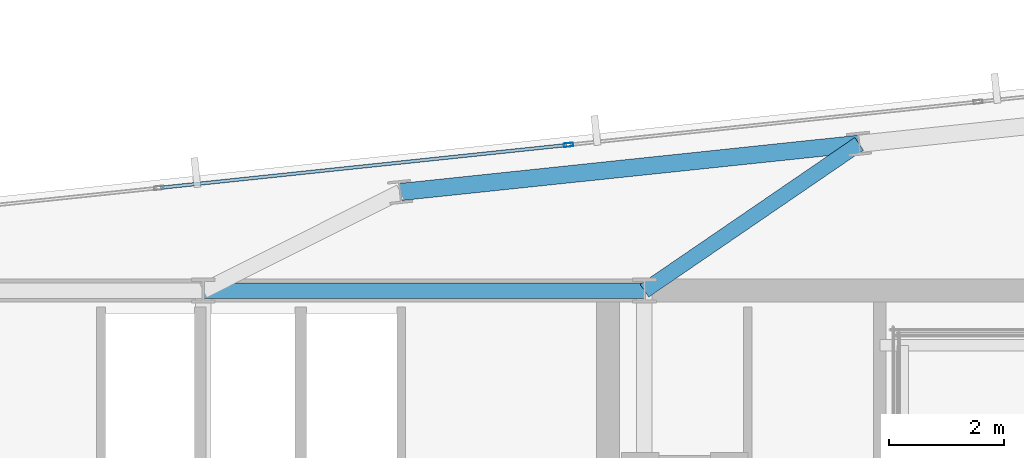
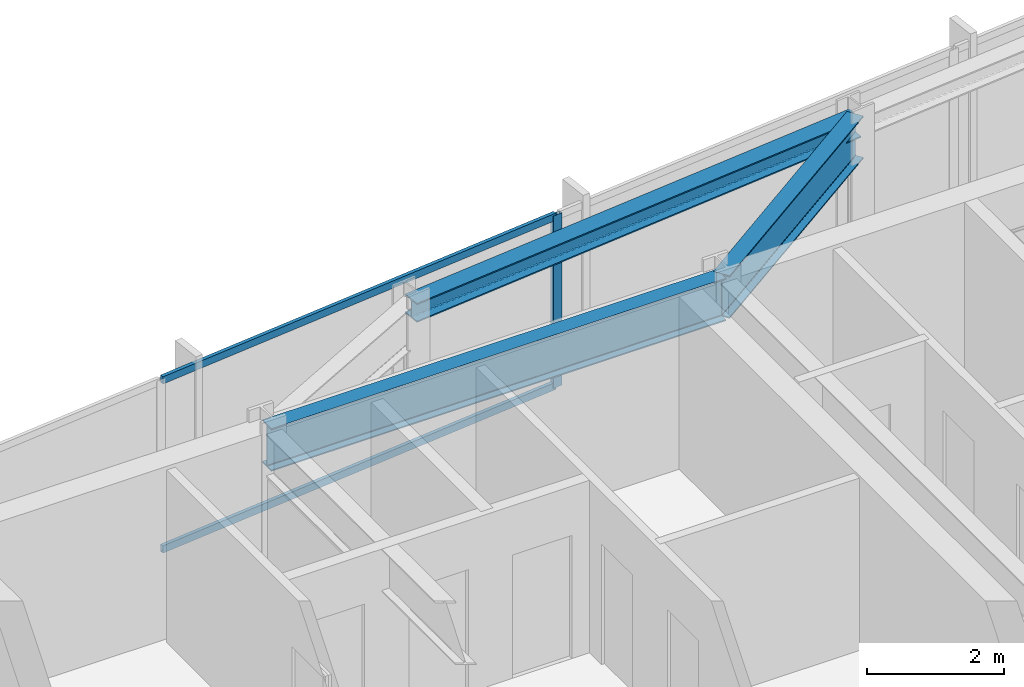
# One storey, part 22 of 33: 3 beams, 3 members, 1 element without a shape of its own.
"""IFC4 building model written with IfcOpenShell, lengths in metres."""

from ifc_helpers import new_model, si_unit, direction, frame, origin, origin_2d, place, context, subcontext, project, spatial, hollow_rectangle, i_section, extrude, material, material_profile, profile_set, type_object, element, aggregate, save


model = new_model("IFC4")

# Units and contexts
model_context = context("Model", 3, precision=1e-05, world=origin(), true_north=direction((0.0, 1.0)))
body_context = subcontext(model_context, "Body", "Model", "MODEL_VIEW")
ifc_project = project(units=[si_unit("LENGTHUNIT", "METRE"), si_unit("AREAUNIT", "SQUARE_METRE"), si_unit("VOLUMEUNIT", "CUBIC_METRE"), si_unit("PLANEANGLEUNIT", "RADIAN"), si_unit("MASSUNIT", "GRAM", prefix="KILO")], contexts=[model_context])

# Site, building, storey
site_placement = place(None, origin())
site = spatial("IfcSite", under=ifc_project, at=site_placement, CompositionType="ELEMENT")
building_placement = place(site_placement, origin())
building = spatial("IfcBuilding", under=site, at=building_placement, Name="Yelkora Congress Tower", CompositionType="ELEMENT")
storey_placement = place(building_placement, frame((0.0, 0.0, 221.0)))
storey = spatial("IfcBuildingStorey", under=building, at=storey_placement, Name="L61", CompositionType="ELEMENT", Elevation=221.0)

# Beams
ifc_material_1 = material(Name="Steel S355J2", Category="steel")
ifc_material_profile_1 = material_profile(ifc_material_1, i_section(OverallWidth=0.26708984375, OverallDepth=0.761962890625, WebThickness=0.014404296875, FlangeThickness=0.021484375, FilletRadius=0.01708984375, at=origin_2d()), Name="IPE 750x173")
ifc_profile_set_1 = profile_set([ifc_material_profile_1], Name="Steel S355J2")
beam_type_1 = type_object("IfcBeamType", Name="BM-GIRD-IPE750", PredefinedType="BEAM", material=ifc_profile_set_1)
beam_1_placement = place(storey_placement, frame((38.39990234375, 46.199951171875, 2.698974609375), z_axis=(1.0, 0.0, 0.0), x_axis=(0.0, 1.0, 0.0)))
element("IfcBeam", 1, at=beam_1_placement, inside=storey, type_object=beam_type_1, Name="L61 Core North Girder 4", PredefinedType="BEAM", context=body_context, shape_type="SweptSolid", body=[
    extrude(i_section(OverallWidth=0.26708984375, OverallDepth=0.761962890625, WebThickness=0.014404296875, FlangeThickness=0.021484375, FilletRadius=0.01708984375, at=origin_2d()), origin(), (0.0, 0.0, 1.0), 7.68017578125),
])
beam_2_placement = place(storey_placement, frame((49.8173828125, 48.757080078125, 2.698974609375), z_axis=(-0.825304616438, -0.564687781067, 0.0), x_axis=(0.564687781067, -0.825304616438, 0.0)))
element("IfcBeam", 2, at=beam_2_placement, inside=storey, type_object=beam_type_1, Name="L61 Primary Frame Girder N05", PredefinedType="BEAM", context=body_context, shape_type="SweptSolid", body=[
    extrude(i_section(OverallWidth=0.26708984375, OverallDepth=0.761962890625, WebThickness=0.014404296875, FlangeThickness=0.021484375, FilletRadius=0.01708984375, at=origin_2d()), origin(), (0.0, 0.0, 1.0), 4.5283203125),
])
ifc_material_profile_2 = material_profile(ifc_material_1, i_section(OverallWidth=0.300048828125, OverallDepth=0.340087890625, WebThickness=0.011962890625, FlangeThickness=0.021484375, FilletRadius=0.027099609375, at=origin_2d()), Name="HEB 340")
ifc_profile_set_2 = profile_set([ifc_material_profile_2], Name="Steel S355J2")
beam_type_2 = type_object("IfcBeamType", Name="BM-SPAN-HEB340", PredefinedType="SPANDREL", material=ifc_profile_set_2)
beam_3_placement = place(storey_placement, frame((49.8173828125, 48.757080078125, 2.909912109375), z_axis=(-0.994523256947, -0.104515507904, 0.0), x_axis=(0.104515507904, -0.994523256947, 0.0)))
element("IfcBeam", 3, at=beam_3_placement, inside=storey, type_object=beam_type_2, Name="L61 Perimeter Beam 15", PredefinedType="SPANDREL", context=body_context, shape_type="SweptSolid", body=[
    extrude(i_section(OverallWidth=0.300048828125, OverallDepth=0.340087890625, WebThickness=0.011962890625, FlangeThickness=0.021484375, FilletRadius=0.027099609375, at=origin_2d()), origin(), (0.0, 0.0, 1.0), 8.033203125),
])

# Curtain wall, members
ifc_material_2 = material(Name="Anodised aluminium and insulated glass", Category="aluminium")
curtain_wall_type = type_object("IfcCurtainWallType", Name="CW-SYS-B4", PredefinedType="NOTDEFINED", material=ifc_material_2)
curtain_wall_placement = place(storey_placement, origin())
curtain_wall = element("IfcCurtainWall", 4, at=curtain_wall_placement, inside=storey, type_object=curtain_wall_type, Name="L61 Unitised Curtain Wall 10 (3)", PredefinedType="NOTDEFINED")
ifc_material_3 = material(Name="Anodised aluminium 6063-T6", Category="aluminium")
ifc_material_profile_3 = material_profile(ifc_material_3, hollow_rectangle(XDim=0.06494140625, YDim=0.159912109375, WallThickness=0.00390625, at=origin_2d()), Name="ALU 65x160x4")
ifc_profile_set_3 = profile_set([ifc_material_profile_3], Name="Anodised aluminium 6063-T6")
member_type_1 = type_object("IfcMemberType", Name="MEM-ML-B4", PredefinedType="MULLION", material=ifc_profile_set_3)
member_1_placement = place(storey_placement, frame((44.75830078125, 48.73828125, 0.0), z_axis=(0.0, 0.0, 1.0), x_axis=(-0.104527724021, 0.994521973066, 0.0)))
member_1 = element("IfcMember", 5, at=member_1_placement, type_object=member_type_1, Name="CW-B4 mullion 4", PredefinedType="MULLION", context=body_context, shape_type="SweptSolid", body=[
    extrude(hollow_rectangle(XDim=0.06494140625, YDim=0.159912109375, WallThickness=0.00390625, at=origin_2d()), origin(), (0.0, 0.0, 1.0), 3.080078125),
])
ifc_material_profile_4 = material_profile(ifc_material_3, hollow_rectangle(XDim=0.06005859375, YDim=0.1298828125, WallThickness=0.00390625, at=origin_2d()), Name="ALU 60x130x4")
ifc_profile_set_4 = profile_set([ifc_material_profile_4], Name="Anodised aluminium 6063-T6")
member_type_2 = type_object("IfcMemberType", Name="MEM-TR-B4", PredefinedType="USERDEFINED", material=ifc_profile_set_4)
member_2_placement = place(storey_placement, frame((37.659912109375, 47.9921875, 0.030029296875), z_axis=(0.994521633799, 0.104530951904, 0.0), x_axis=(-0.104530951904, 0.994521633799, 0.0)))
member_2 = element("IfcMember", 6, at=member_2_placement, type_object=member_type_2, Name="CW-B4 transom 3.1", ObjectType="TRANSOM", PredefinedType="USERDEFINED", context=body_context, shape_type="SweptSolid", body=[
    extrude(hollow_rectangle(XDim=0.06005859375, YDim=0.1298828125, WallThickness=0.00390625, at=origin_2d()), origin(), (0.0, 0.0, 1.0), 7.104736328125),
])
member_3_placement = place(storey_placement, frame((37.659912109375, 47.9921875, 3.050048828125), z_axis=(0.994521633799, 0.104530951904, 0.0), x_axis=(-0.104530951904, 0.994521633799, 0.0)))
member_3 = element("IfcMember", 7, at=member_3_placement, type_object=member_type_2, Name="CW-B4 transom 3.2", ObjectType="TRANSOM", PredefinedType="USERDEFINED", context=body_context, shape_type="SweptSolid", body=[
    extrude(hollow_rectangle(XDim=0.06005859375, YDim=0.1298828125, WallThickness=0.00390625, at=origin_2d()), origin(), (0.0, 0.0, 1.0), 7.104736328125),
])
aggregate(curtain_wall, [member_1, member_2, member_3])

save(model, "model.ifc")
